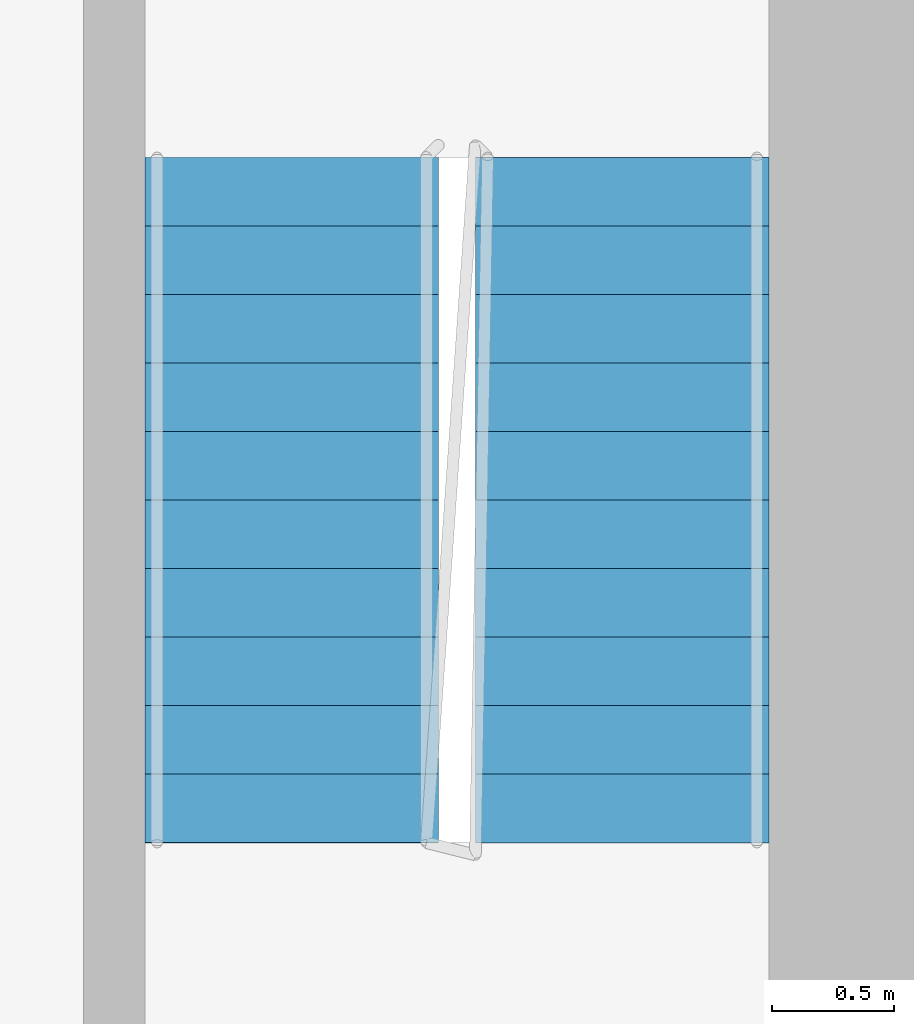
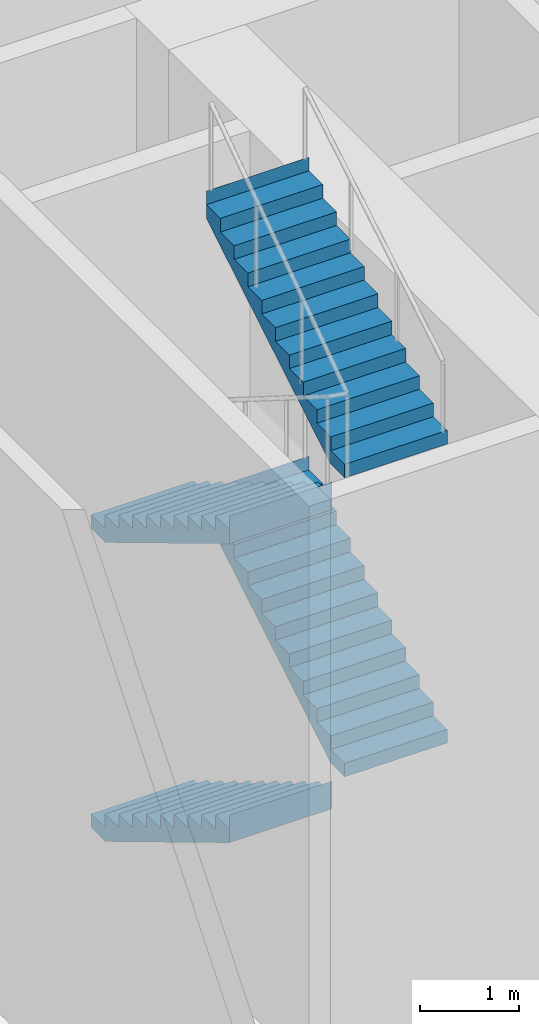
# One storey, part 19 of 25: 4 stair flights, 1 element without a shape of its own.
"""IFC4 building model written with IfcOpenShell, lengths in metres."""

from ifc_helpers import new_model, si_unit, direction, frame, origin, place, context, subcontext, project, spatial, faceted_brep, material, type_object, element, aggregate, save


model = new_model("IFC4")

# Units and contexts
model_context = context("Model", 3, precision=1e-05, world=origin(), true_north=direction((0.0, 1.0)))
body_context = subcontext(model_context, "Body", "Model", "MODEL_VIEW")
ifc_project = project(units=[si_unit("LENGTHUNIT", "METRE"), si_unit("AREAUNIT", "SQUARE_METRE"), si_unit("VOLUMEUNIT", "CUBIC_METRE"), si_unit("PLANEANGLEUNIT", "RADIAN"), si_unit("MASSUNIT", "GRAM", prefix="KILO")], contexts=[model_context])

# Site, building, storey
site_placement = place(None, origin())
site = spatial("IfcSite", under=ifc_project, at=site_placement, CompositionType="ELEMENT")
building_placement = place(site_placement, origin())
building = spatial("IfcBuilding", under=site, at=building_placement, Name="Kajstack Hotel Tower", CompositionType="ELEMENT")
storey_placement = place(building_placement, frame((0.0, 0.0, 155.0)))
storey = spatial("IfcBuildingStorey", under=building, at=storey_placement, Name="L36", CompositionType="ELEMENT", Elevation=155.0)

# Stair, stair flights
ifc_material = material(Name="Concrete C40/50", Category="concrete")
stair_type = type_object("IfcStairType", Name="Exit stair 1200", PredefinedType="HALF_TURN_STAIR", material=ifc_material)
stair_placement = place(storey_placement, origin())
stair = element("IfcStair", 1, at=stair_placement, inside=storey, type_object=stair_type, Name="L36 stair W1", PredefinedType="HALF_TURN_STAIR")
stair_flight_type = type_object("IfcStairFlightType", Name="Exit stair flight 1200", PredefinedType="STRAIGHT", material=ifc_material)
stair_flight_1_placement = place(storey_placement, frame((-33.449951171875, -5.25, 0.0), z_axis=(0.0, 0.0, 1.0), x_axis=(0.0, -1.0, 0.0)))
stair_flight_1 = element("IfcStairFlight", 2, at=stair_flight_1_placement, type_object=stair_flight_type, Name="W1 flight 1", NumberOfRisers=11, NumberOfTreads=10, PredefinedType="STRAIGHT", RiserHeight=0.168181818, TreadLength=0.28, context=body_context, shape_type="Brep", body=[
    faceted_brep([(0.291748046875, -0.60009765625, 0.0), (2.800537109375, -0.60009765625, 1.5068359375), (2.800537109375, -0.60009765625, 1.85009765625), (2.800048828125, -0.60009765625, 1.85009765625), (2.800048828125, -0.60009765625, 1.681884765625), (2.52001953125, -0.60009765625, 1.681884765625), (2.52001953125, -0.60009765625, 1.513671875), (2.239990234375, -0.60009765625, 1.513671875), (2.239990234375, -0.60009765625, 1.345458984375), (1.9599609375, -0.60009765625, 1.345458984375), (1.9599609375, -0.60009765625, 1.17724609375), (1.679931640625, -0.60009765625, 1.17724609375), (1.679931640625, -0.60009765625, 1.009033203125), (1.39990234375, -0.60009765625, 1.009033203125), (1.39990234375, -0.60009765625, 0.8408203125), (1.1201171875, -0.60009765625, 0.8408203125), (1.1201171875, -0.60009765625, 0.672607421875), (0.840087890625, -0.60009765625, 0.672607421875), (0.840087890625, -0.60009765625, 0.504638671875), (0.56005859375, -0.60009765625, 0.504638671875), (0.56005859375, -0.60009765625, 0.33642578125), (0.280029296875, -0.60009765625, 0.33642578125), (0.280029296875, -0.60009765625, 0.168212890625), (-0.00048828125, -0.60009765625, 0.168212890625), (-0.00048828125, -0.60009765625, 0.0), (-0.00048828125, 0.60009765625, 0.0), (-0.00048828125, 0.60009765625, 0.168212890625), (0.280029296875, 0.60009765625, 0.168212890625), (0.280029296875, 0.60009765625, 0.33642578125), (0.56005859375, 0.60009765625, 0.33642578125), (0.56005859375, 0.60009765625, 0.504638671875), (0.840087890625, 0.60009765625, 0.504638671875), (0.840087890625, 0.60009765625, 0.672607421875), (1.1201171875, 0.60009765625, 0.672607421875), (1.1201171875, 0.60009765625, 0.8408203125), (1.39990234375, 0.60009765625, 0.8408203125), (1.39990234375, 0.60009765625, 1.009033203125), (1.679931640625, 0.60009765625, 1.009033203125), (1.679931640625, 0.60009765625, 1.17724609375), (1.9599609375, 0.60009765625, 1.17724609375), (1.9599609375, 0.60009765625, 1.345458984375), (2.239990234375, 0.60009765625, 1.345458984375), (2.239990234375, 0.60009765625, 1.513671875), (2.52001953125, 0.60009765625, 1.513671875), (2.52001953125, 0.60009765625, 1.681884765625), (2.800048828125, 0.60009765625, 1.681884765625), (2.800048828125, 0.60009765625, 1.85009765625), (2.800537109375, 0.60009765625, 1.85009765625), (2.800537109375, 0.60009765625, 1.5068359375), (0.291748046875, 0.60009765625, 0.0), (-0.00048828125, -0.300048828125, 0.168212890625), (-0.00048828125, 0.0, 0.168212890625), (-0.00048828125, 0.300048828125, 0.168212890625), (-0.00048828125, 0.300048828125, 0.0), (-0.00048828125, 0.0, 0.0), (-0.00048828125, -0.300048828125, 0.0), (0.280029296875, -0.300048828125, 0.168212890625), (0.280029296875, 0.0, 0.168212890625), (0.280029296875, 0.300048828125, 0.168212890625), (0.280029296875, -0.300048828125, 0.33642578125), (0.280029296875, 0.0, 0.33642578125), (0.280029296875, 0.300048828125, 0.33642578125), (0.56005859375, -0.300048828125, 0.33642578125), (0.56005859375, 0.0, 0.33642578125), (0.56005859375, 0.300048828125, 0.33642578125), (0.56005859375, -0.300048828125, 0.504638671875), (0.56005859375, 0.0, 0.504638671875), (0.56005859375, 0.300048828125, 0.504638671875), (0.840087890625, -0.300048828125, 0.504638671875), (0.840087890625, 0.0, 0.504638671875), (0.840087890625, 0.300048828125, 0.504638671875), (0.840087890625, -0.300048828125, 0.672607421875), (0.840087890625, 0.0, 0.672607421875), (0.840087890625, 0.300048828125, 0.672607421875), (1.1201171875, -0.300048828125, 0.672607421875), (1.1201171875, 0.0, 0.672607421875), (1.1201171875, 0.300048828125, 0.672607421875), (1.1201171875, -0.300048828125, 0.8408203125), (1.1201171875, 0.0, 0.8408203125), (1.1201171875, 0.300048828125, 0.8408203125), (1.39990234375, -0.300048828125, 0.8408203125), (1.39990234375, 0.0, 0.8408203125), (1.39990234375, 0.300048828125, 0.8408203125), (1.39990234375, -0.300048828125, 1.009033203125), (1.39990234375, 0.0, 1.009033203125), (1.39990234375, 0.300048828125, 1.009033203125), (1.679931640625, -0.300048828125, 1.009033203125), (1.679931640625, 0.0, 1.009033203125), (1.679931640625, 0.300048828125, 1.009033203125), (1.679931640625, -0.300048828125, 1.17724609375), (1.679931640625, 0.0, 1.17724609375), (1.679931640625, 0.300048828125, 1.17724609375), (1.9599609375, -0.300048828125, 1.17724609375), (1.9599609375, 0.0, 1.17724609375), (1.9599609375, 0.300048828125, 1.17724609375), (1.9599609375, -0.300048828125, 1.345458984375), (1.9599609375, 0.0, 1.345458984375), (1.9599609375, 0.300048828125, 1.345458984375), (2.239990234375, -0.300048828125, 1.345458984375), (2.239990234375, 0.0, 1.345458984375), (2.239990234375, 0.300048828125, 1.345458984375), (2.239990234375, -0.300048828125, 1.513671875), (2.239990234375, 0.0, 1.513671875), (2.239990234375, 0.300048828125, 1.513671875), (2.52001953125, -0.300048828125, 1.513671875), (2.52001953125, 0.0, 1.513671875), (2.52001953125, 0.300048828125, 1.513671875), (2.52001953125, -0.300048828125, 1.681884765625), (2.52001953125, 0.0, 1.681884765625), (2.52001953125, 0.300048828125, 1.681884765625), (2.800048828125, -0.300048828125, 1.681884765625), (2.800048828125, 0.0, 1.681884765625), (2.800048828125, 0.300048828125, 1.681884765625), (2.800048828125, -0.300048828125, 1.85009765625), (2.800048828125, 0.0, 1.85009765625), (2.800048828125, 0.300048828125, 1.85009765625), (2.800537109375, -0.300048828125, 1.85009765625), (2.800537109375, 0.0, 1.85009765625), (2.800537109375, 0.300048828125, 1.85009765625), (2.800537109375, -0.300048828125, 1.5068359375), (2.800537109375, 0.0, 1.5068359375), (2.800537109375, 0.300048828125, 1.5068359375), (0.291748046875, -0.300048828125, 0.0), (0.291748046875, 0.0, 0.0), (0.291748046875, 0.300048828125, 0.0)], [[[0, 1, 2, 3, 4, 5, 6, 7, 8, 9, 10, 11, 12, 13, 14, 15, 16, 17, 18, 19, 20, 21, 22, 23, 24]], [[25, 26, 27, 28, 29, 30, 31, 32, 33, 34, 35, 36, 37, 38, 39, 40, 41, 42, 43, 44, 45, 46, 47, 48, 49]], [[23, 50, 51, 52, 26, 25, 53, 54, 55, 24]], [[22, 56, 57, 58, 27, 26, 52, 51, 50, 23]], [[21, 59, 60, 61, 28, 27, 58, 57, 56, 22]], [[20, 62, 63, 64, 29, 28, 61, 60, 59, 21]], [[19, 65, 66, 67, 30, 29, 64, 63, 62, 20]], [[18, 68, 69, 70, 31, 30, 67, 66, 65, 19]], [[17, 71, 72, 73, 32, 31, 70, 69, 68, 18]], [[16, 74, 75, 76, 33, 32, 73, 72, 71, 17]], [[15, 77, 78, 79, 34, 33, 76, 75, 74, 16]], [[14, 80, 81, 82, 35, 34, 79, 78, 77, 15]], [[13, 83, 84, 85, 36, 35, 82, 81, 80, 14]], [[12, 86, 87, 88, 37, 36, 85, 84, 83, 13]], [[11, 89, 90, 91, 38, 37, 88, 87, 86, 12]], [[10, 92, 93, 94, 39, 38, 91, 90, 89, 11]], [[9, 95, 96, 97, 40, 39, 94, 93, 92, 10]], [[8, 98, 99, 100, 41, 40, 97, 96, 95, 9]], [[7, 101, 102, 103, 42, 41, 100, 99, 98, 8]], [[6, 104, 105, 106, 43, 42, 103, 102, 101, 7]], [[5, 107, 108, 109, 44, 43, 106, 105, 104, 6]], [[4, 110, 111, 112, 45, 44, 109, 108, 107, 5]], [[3, 113, 114, 115, 46, 45, 112, 111, 110, 4]], [[2, 116, 117, 118, 47, 46, 115, 114, 113, 3]], [[1, 119, 120, 121, 48, 47, 118, 117, 116, 2]], [[0, 122, 123, 124, 49, 48, 121, 120, 119, 1]], [[24, 55, 54, 53, 25, 49, 124, 123, 122, 0]]]),
])
stair_flight_2_placement = place(storey_placement, frame((-32.10009765625, -8.050048828125, 1.85009765625), z_axis=(0.0, 0.0, 1.0), x_axis=(0.0, 1.0, 0.0)))
stair_flight_2 = element("IfcStairFlight", 3, at=stair_flight_2_placement, type_object=stair_flight_type, Name="W1 flight 2", NumberOfRisers=11, NumberOfTreads=10, PredefinedType="STRAIGHT", RiserHeight=0.168181818, TreadLength=0.28, context=body_context, shape_type="Brep", body=[
    faceted_brep([(0.291748046875, -0.60009765625, 0.0), (2.800537109375, -0.60009765625, 1.5068359375), (2.800537109375, -0.60009765625, 1.85009765625), (2.800048828125, -0.60009765625, 1.85009765625), (2.800048828125, -0.60009765625, 1.681884765625), (2.52001953125, -0.60009765625, 1.681884765625), (2.52001953125, -0.60009765625, 1.513671875), (2.239990234375, -0.60009765625, 1.513671875), (2.239990234375, -0.60009765625, 1.345458984375), (1.9599609375, -0.60009765625, 1.345458984375), (1.9599609375, -0.60009765625, 1.17724609375), (1.679931640625, -0.60009765625, 1.17724609375), (1.679931640625, -0.60009765625, 1.009033203125), (1.39990234375, -0.60009765625, 1.009033203125), (1.39990234375, -0.60009765625, 0.8408203125), (1.1201171875, -0.60009765625, 0.8408203125), (1.1201171875, -0.60009765625, 0.672607421875), (0.840087890625, -0.60009765625, 0.672607421875), (0.840087890625, -0.60009765625, 0.504638671875), (0.56005859375, -0.60009765625, 0.504638671875), (0.56005859375, -0.60009765625, 0.33642578125), (0.280029296875, -0.60009765625, 0.33642578125), (0.280029296875, -0.60009765625, 0.168212890625), (-0.00048828125, -0.60009765625, 0.168212890625), (-0.00048828125, -0.60009765625, 0.0), (-0.00048828125, 0.60009765625, 0.0), (-0.00048828125, 0.60009765625, 0.168212890625), (0.280029296875, 0.60009765625, 0.168212890625), (0.280029296875, 0.60009765625, 0.33642578125), (0.56005859375, 0.60009765625, 0.33642578125), (0.56005859375, 0.60009765625, 0.504638671875), (0.840087890625, 0.60009765625, 0.504638671875), (0.840087890625, 0.60009765625, 0.672607421875), (1.1201171875, 0.60009765625, 0.672607421875), (1.1201171875, 0.60009765625, 0.8408203125), (1.39990234375, 0.60009765625, 0.8408203125), (1.39990234375, 0.60009765625, 1.009033203125), (1.679931640625, 0.60009765625, 1.009033203125), (1.679931640625, 0.60009765625, 1.17724609375), (1.9599609375, 0.60009765625, 1.17724609375), (1.9599609375, 0.60009765625, 1.345458984375), (2.239990234375, 0.60009765625, 1.345458984375), (2.239990234375, 0.60009765625, 1.513671875), (2.52001953125, 0.60009765625, 1.513671875), (2.52001953125, 0.60009765625, 1.681884765625), (2.800048828125, 0.60009765625, 1.681884765625), (2.800048828125, 0.60009765625, 1.85009765625), (2.800537109375, 0.60009765625, 1.85009765625), (2.800537109375, 0.60009765625, 1.5068359375), (0.291748046875, 0.60009765625, 0.0), (-0.00048828125, -0.300048828125, 0.168212890625), (-0.00048828125, 0.0, 0.168212890625), (-0.00048828125, 0.300048828125, 0.168212890625), (-0.00048828125, 0.300048828125, 0.0), (-0.00048828125, 0.0, 0.0), (-0.00048828125, -0.300048828125, 0.0), (0.280029296875, -0.300048828125, 0.168212890625), (0.280029296875, 0.0, 0.168212890625), (0.280029296875, 0.300048828125, 0.168212890625), (0.280029296875, -0.300048828125, 0.33642578125), (0.280029296875, 0.0, 0.33642578125), (0.280029296875, 0.300048828125, 0.33642578125), (0.56005859375, -0.300048828125, 0.33642578125), (0.56005859375, 0.0, 0.33642578125), (0.56005859375, 0.300048828125, 0.33642578125), (0.56005859375, -0.300048828125, 0.504638671875), (0.56005859375, 0.0, 0.504638671875), (0.56005859375, 0.300048828125, 0.504638671875), (0.840087890625, -0.300048828125, 0.504638671875), (0.840087890625, 0.0, 0.504638671875), (0.840087890625, 0.300048828125, 0.504638671875), (0.840087890625, -0.300048828125, 0.672607421875), (0.840087890625, 0.0, 0.672607421875), (0.840087890625, 0.300048828125, 0.672607421875), (1.1201171875, -0.300048828125, 0.672607421875), (1.1201171875, 0.0, 0.672607421875), (1.1201171875, 0.300048828125, 0.672607421875), (1.1201171875, -0.300048828125, 0.8408203125), (1.1201171875, 0.0, 0.8408203125), (1.1201171875, 0.300048828125, 0.8408203125), (1.39990234375, -0.300048828125, 0.8408203125), (1.39990234375, 0.0, 0.8408203125), (1.39990234375, 0.300048828125, 0.8408203125), (1.39990234375, -0.300048828125, 1.009033203125), (1.39990234375, 0.0, 1.009033203125), (1.39990234375, 0.300048828125, 1.009033203125), (1.679931640625, -0.300048828125, 1.009033203125), (1.679931640625, 0.0, 1.009033203125), (1.679931640625, 0.300048828125, 1.009033203125), (1.679931640625, -0.300048828125, 1.17724609375), (1.679931640625, 0.0, 1.17724609375), (1.679931640625, 0.300048828125, 1.17724609375), (1.9599609375, -0.300048828125, 1.17724609375), (1.9599609375, 0.0, 1.17724609375), (1.9599609375, 0.300048828125, 1.17724609375), (1.9599609375, -0.300048828125, 1.345458984375), (1.9599609375, 0.0, 1.345458984375), (1.9599609375, 0.300048828125, 1.345458984375), (2.239990234375, -0.300048828125, 1.345458984375), (2.239990234375, 0.0, 1.345458984375), (2.239990234375, 0.300048828125, 1.345458984375), (2.239990234375, -0.300048828125, 1.513671875), (2.239990234375, 0.0, 1.513671875), (2.239990234375, 0.300048828125, 1.513671875), (2.52001953125, -0.300048828125, 1.513671875), (2.52001953125, 0.0, 1.513671875), (2.52001953125, 0.300048828125, 1.513671875), (2.52001953125, -0.300048828125, 1.681884765625), (2.52001953125, 0.0, 1.681884765625), (2.52001953125, 0.300048828125, 1.681884765625), (2.800048828125, -0.300048828125, 1.681884765625), (2.800048828125, 0.0, 1.681884765625), (2.800048828125, 0.300048828125, 1.681884765625), (2.800048828125, -0.300048828125, 1.85009765625), (2.800048828125, 0.0, 1.85009765625), (2.800048828125, 0.300048828125, 1.85009765625), (2.800537109375, -0.300048828125, 1.85009765625), (2.800537109375, 0.0, 1.85009765625), (2.800537109375, 0.300048828125, 1.85009765625), (2.800537109375, -0.300048828125, 1.5068359375), (2.800537109375, 0.0, 1.5068359375), (2.800537109375, 0.300048828125, 1.5068359375), (0.291748046875, -0.300048828125, 0.0), (0.291748046875, 0.0, 0.0), (0.291748046875, 0.300048828125, 0.0)], [[[0, 1, 2, 3, 4, 5, 6, 7, 8, 9, 10, 11, 12, 13, 14, 15, 16, 17, 18, 19, 20, 21, 22, 23, 24]], [[25, 26, 27, 28, 29, 30, 31, 32, 33, 34, 35, 36, 37, 38, 39, 40, 41, 42, 43, 44, 45, 46, 47, 48, 49]], [[23, 50, 51, 52, 26, 25, 53, 54, 55, 24]], [[22, 56, 57, 58, 27, 26, 52, 51, 50, 23]], [[21, 59, 60, 61, 28, 27, 58, 57, 56, 22]], [[20, 62, 63, 64, 29, 28, 61, 60, 59, 21]], [[19, 65, 66, 67, 30, 29, 64, 63, 62, 20]], [[18, 68, 69, 70, 31, 30, 67, 66, 65, 19]], [[17, 71, 72, 73, 32, 31, 70, 69, 68, 18]], [[16, 74, 75, 76, 33, 32, 73, 72, 71, 17]], [[15, 77, 78, 79, 34, 33, 76, 75, 74, 16]], [[14, 80, 81, 82, 35, 34, 79, 78, 77, 15]], [[13, 83, 84, 85, 36, 35, 82, 81, 80, 14]], [[12, 86, 87, 88, 37, 36, 85, 84, 83, 13]], [[11, 89, 90, 91, 38, 37, 88, 87, 86, 12]], [[10, 92, 93, 94, 39, 38, 91, 90, 89, 11]], [[9, 95, 96, 97, 40, 39, 94, 93, 92, 10]], [[8, 98, 99, 100, 41, 40, 97, 96, 95, 9]], [[7, 101, 102, 103, 42, 41, 100, 99, 98, 8]], [[6, 104, 105, 106, 43, 42, 103, 102, 101, 7]], [[5, 107, 108, 109, 44, 43, 106, 105, 104, 6]], [[4, 110, 111, 112, 45, 44, 109, 108, 107, 5]], [[3, 113, 114, 115, 46, 45, 112, 111, 110, 4]], [[2, 116, 117, 118, 47, 46, 115, 114, 113, 3]], [[1, 119, 120, 121, 48, 47, 118, 117, 116, 2]], [[0, 122, 123, 124, 49, 48, 121, 120, 119, 1]], [[24, 55, 54, 53, 25, 49, 124, 123, 122, 0]]]),
])
stair_flight_3_placement = place(storey_placement, frame((-33.449951171875, -5.25, 3.699951171875), z_axis=(0.0, 0.0, 1.0), x_axis=(0.0, -1.0, 0.0)))
stair_flight_3 = element("IfcStairFlight", 4, at=stair_flight_3_placement, type_object=stair_flight_type, Name="W1 flight 3", NumberOfRisers=11, NumberOfTreads=10, PredefinedType="STRAIGHT", RiserHeight=0.168181818, TreadLength=0.28, context=body_context, shape_type="Brep", body=[
    faceted_brep([(0.291748046875, -0.60009765625, 0.0), (2.800537109375, -0.60009765625, 1.5068359375), (2.800537109375, -0.60009765625, 1.85009765625), (2.800048828125, -0.60009765625, 1.85009765625), (2.800048828125, -0.60009765625, 1.681884765625), (2.52001953125, -0.60009765625, 1.681884765625), (2.52001953125, -0.60009765625, 1.513671875), (2.239990234375, -0.60009765625, 1.513671875), (2.239990234375, -0.60009765625, 1.345458984375), (1.9599609375, -0.60009765625, 1.345458984375), (1.9599609375, -0.60009765625, 1.17724609375), (1.679931640625, -0.60009765625, 1.17724609375), (1.679931640625, -0.60009765625, 1.009033203125), (1.39990234375, -0.60009765625, 1.009033203125), (1.39990234375, -0.60009765625, 0.8408203125), (1.1201171875, -0.60009765625, 0.8408203125), (1.1201171875, -0.60009765625, 0.672607421875), (0.840087890625, -0.60009765625, 0.672607421875), (0.840087890625, -0.60009765625, 0.504638671875), (0.56005859375, -0.60009765625, 0.504638671875), (0.56005859375, -0.60009765625, 0.33642578125), (0.280029296875, -0.60009765625, 0.33642578125), (0.280029296875, -0.60009765625, 0.168212890625), (-0.00048828125, -0.60009765625, 0.168212890625), (-0.00048828125, -0.60009765625, 0.0), (-0.00048828125, 0.60009765625, 0.0), (-0.00048828125, 0.60009765625, 0.168212890625), (0.280029296875, 0.60009765625, 0.168212890625), (0.280029296875, 0.60009765625, 0.33642578125), (0.56005859375, 0.60009765625, 0.33642578125), (0.56005859375, 0.60009765625, 0.504638671875), (0.840087890625, 0.60009765625, 0.504638671875), (0.840087890625, 0.60009765625, 0.672607421875), (1.1201171875, 0.60009765625, 0.672607421875), (1.1201171875, 0.60009765625, 0.8408203125), (1.39990234375, 0.60009765625, 0.8408203125), (1.39990234375, 0.60009765625, 1.009033203125), (1.679931640625, 0.60009765625, 1.009033203125), (1.679931640625, 0.60009765625, 1.17724609375), (1.9599609375, 0.60009765625, 1.17724609375), (1.9599609375, 0.60009765625, 1.345458984375), (2.239990234375, 0.60009765625, 1.345458984375), (2.239990234375, 0.60009765625, 1.513671875), (2.52001953125, 0.60009765625, 1.513671875), (2.52001953125, 0.60009765625, 1.681884765625), (2.800048828125, 0.60009765625, 1.681884765625), (2.800048828125, 0.60009765625, 1.85009765625), (2.800537109375, 0.60009765625, 1.85009765625), (2.800537109375, 0.60009765625, 1.5068359375), (0.291748046875, 0.60009765625, 0.0), (-0.00048828125, -0.300048828125, 0.168212890625), (-0.00048828125, 0.0, 0.168212890625), (-0.00048828125, 0.300048828125, 0.168212890625), (-0.00048828125, 0.300048828125, 0.0), (-0.00048828125, 0.0, 0.0), (-0.00048828125, -0.300048828125, 0.0), (0.280029296875, -0.300048828125, 0.168212890625), (0.280029296875, 0.0, 0.168212890625), (0.280029296875, 0.300048828125, 0.168212890625), (0.280029296875, -0.300048828125, 0.33642578125), (0.280029296875, 0.0, 0.33642578125), (0.280029296875, 0.300048828125, 0.33642578125), (0.56005859375, -0.300048828125, 0.33642578125), (0.56005859375, 0.0, 0.33642578125), (0.56005859375, 0.300048828125, 0.33642578125), (0.56005859375, -0.300048828125, 0.504638671875), (0.56005859375, 0.0, 0.504638671875), (0.56005859375, 0.300048828125, 0.504638671875), (0.840087890625, -0.300048828125, 0.504638671875), (0.840087890625, 0.0, 0.504638671875), (0.840087890625, 0.300048828125, 0.504638671875), (0.840087890625, -0.300048828125, 0.672607421875), (0.840087890625, 0.0, 0.672607421875), (0.840087890625, 0.300048828125, 0.672607421875), (1.1201171875, -0.300048828125, 0.672607421875), (1.1201171875, 0.0, 0.672607421875), (1.1201171875, 0.300048828125, 0.672607421875), (1.1201171875, -0.300048828125, 0.8408203125), (1.1201171875, 0.0, 0.8408203125), (1.1201171875, 0.300048828125, 0.8408203125), (1.39990234375, -0.300048828125, 0.8408203125), (1.39990234375, 0.0, 0.8408203125), (1.39990234375, 0.300048828125, 0.8408203125), (1.39990234375, -0.300048828125, 1.009033203125), (1.39990234375, 0.0, 1.009033203125), (1.39990234375, 0.300048828125, 1.009033203125), (1.679931640625, -0.300048828125, 1.009033203125), (1.679931640625, 0.0, 1.009033203125), (1.679931640625, 0.300048828125, 1.009033203125), (1.679931640625, -0.300048828125, 1.17724609375), (1.679931640625, 0.0, 1.17724609375), (1.679931640625, 0.300048828125, 1.17724609375), (1.9599609375, -0.300048828125, 1.17724609375), (1.9599609375, 0.0, 1.17724609375), (1.9599609375, 0.300048828125, 1.17724609375), (1.9599609375, -0.300048828125, 1.345458984375), (1.9599609375, 0.0, 1.345458984375), (1.9599609375, 0.300048828125, 1.345458984375), (2.239990234375, -0.300048828125, 1.345458984375), (2.239990234375, 0.0, 1.345458984375), (2.239990234375, 0.300048828125, 1.345458984375), (2.239990234375, -0.300048828125, 1.513671875), (2.239990234375, 0.0, 1.513671875), (2.239990234375, 0.300048828125, 1.513671875), (2.52001953125, -0.300048828125, 1.513671875), (2.52001953125, 0.0, 1.513671875), (2.52001953125, 0.300048828125, 1.513671875), (2.52001953125, -0.300048828125, 1.681884765625), (2.52001953125, 0.0, 1.681884765625), (2.52001953125, 0.300048828125, 1.681884765625), (2.800048828125, -0.300048828125, 1.681884765625), (2.800048828125, 0.0, 1.681884765625), (2.800048828125, 0.300048828125, 1.681884765625), (2.800048828125, -0.300048828125, 1.85009765625), (2.800048828125, 0.0, 1.85009765625), (2.800048828125, 0.300048828125, 1.85009765625), (2.800537109375, -0.300048828125, 1.85009765625), (2.800537109375, 0.0, 1.85009765625), (2.800537109375, 0.300048828125, 1.85009765625), (2.800537109375, -0.300048828125, 1.5068359375), (2.800537109375, 0.0, 1.5068359375), (2.800537109375, 0.300048828125, 1.5068359375), (0.291748046875, -0.300048828125, 0.0), (0.291748046875, 0.0, 0.0), (0.291748046875, 0.300048828125, 0.0)], [[[0, 1, 2, 3, 4, 5, 6, 7, 8, 9, 10, 11, 12, 13, 14, 15, 16, 17, 18, 19, 20, 21, 22, 23, 24]], [[25, 26, 27, 28, 29, 30, 31, 32, 33, 34, 35, 36, 37, 38, 39, 40, 41, 42, 43, 44, 45, 46, 47, 48, 49]], [[23, 50, 51, 52, 26, 25, 53, 54, 55, 24]], [[22, 56, 57, 58, 27, 26, 52, 51, 50, 23]], [[21, 59, 60, 61, 28, 27, 58, 57, 56, 22]], [[20, 62, 63, 64, 29, 28, 61, 60, 59, 21]], [[19, 65, 66, 67, 30, 29, 64, 63, 62, 20]], [[18, 68, 69, 70, 31, 30, 67, 66, 65, 19]], [[17, 71, 72, 73, 32, 31, 70, 69, 68, 18]], [[16, 74, 75, 76, 33, 32, 73, 72, 71, 17]], [[15, 77, 78, 79, 34, 33, 76, 75, 74, 16]], [[14, 80, 81, 82, 35, 34, 79, 78, 77, 15]], [[13, 83, 84, 85, 36, 35, 82, 81, 80, 14]], [[12, 86, 87, 88, 37, 36, 85, 84, 83, 13]], [[11, 89, 90, 91, 38, 37, 88, 87, 86, 12]], [[10, 92, 93, 94, 39, 38, 91, 90, 89, 11]], [[9, 95, 96, 97, 40, 39, 94, 93, 92, 10]], [[8, 98, 99, 100, 41, 40, 97, 96, 95, 9]], [[7, 101, 102, 103, 42, 41, 100, 99, 98, 8]], [[6, 104, 105, 106, 43, 42, 103, 102, 101, 7]], [[5, 107, 108, 109, 44, 43, 106, 105, 104, 6]], [[4, 110, 111, 112, 45, 44, 109, 108, 107, 5]], [[3, 113, 114, 115, 46, 45, 112, 111, 110, 4]], [[2, 116, 117, 118, 47, 46, 115, 114, 113, 3]], [[1, 119, 120, 121, 48, 47, 118, 117, 116, 2]], [[0, 122, 123, 124, 49, 48, 121, 120, 119, 1]], [[24, 55, 54, 53, 25, 49, 124, 123, 122, 0]]]),
])
stair_flight_4_placement = place(storey_placement, frame((-32.10009765625, -8.050048828125, 5.550048828125), z_axis=(0.0, 0.0, 1.0), x_axis=(0.0, 1.0, 0.0)))
stair_flight_4 = element("IfcStairFlight", 5, at=stair_flight_4_placement, type_object=stair_flight_type, Name="W1 flight 4", NumberOfRisers=11, NumberOfTreads=10, PredefinedType="STRAIGHT", RiserHeight=0.168181818, TreadLength=0.28, context=body_context, shape_type="Brep", body=[
    faceted_brep([(0.291748046875, -0.60009765625, 0.0), (2.800537109375, -0.60009765625, 1.5068359375), (2.800537109375, -0.60009765625, 1.85009765625), (2.800048828125, -0.60009765625, 1.85009765625), (2.800048828125, -0.60009765625, 1.681884765625), (2.52001953125, -0.60009765625, 1.681884765625), (2.52001953125, -0.60009765625, 1.513671875), (2.239990234375, -0.60009765625, 1.513671875), (2.239990234375, -0.60009765625, 1.345458984375), (1.9599609375, -0.60009765625, 1.345458984375), (1.9599609375, -0.60009765625, 1.17724609375), (1.679931640625, -0.60009765625, 1.17724609375), (1.679931640625, -0.60009765625, 1.009033203125), (1.39990234375, -0.60009765625, 1.009033203125), (1.39990234375, -0.60009765625, 0.8408203125), (1.1201171875, -0.60009765625, 0.8408203125), (1.1201171875, -0.60009765625, 0.672607421875), (0.840087890625, -0.60009765625, 0.672607421875), (0.840087890625, -0.60009765625, 0.504638671875), (0.56005859375, -0.60009765625, 0.504638671875), (0.56005859375, -0.60009765625, 0.33642578125), (0.280029296875, -0.60009765625, 0.33642578125), (0.280029296875, -0.60009765625, 0.168212890625), (-0.00048828125, -0.60009765625, 0.168212890625), (-0.00048828125, -0.60009765625, 0.0), (-0.00048828125, 0.60009765625, 0.0), (-0.00048828125, 0.60009765625, 0.168212890625), (0.280029296875, 0.60009765625, 0.168212890625), (0.280029296875, 0.60009765625, 0.33642578125), (0.56005859375, 0.60009765625, 0.33642578125), (0.56005859375, 0.60009765625, 0.504638671875), (0.840087890625, 0.60009765625, 0.504638671875), (0.840087890625, 0.60009765625, 0.672607421875), (1.1201171875, 0.60009765625, 0.672607421875), (1.1201171875, 0.60009765625, 0.8408203125), (1.39990234375, 0.60009765625, 0.8408203125), (1.39990234375, 0.60009765625, 1.009033203125), (1.679931640625, 0.60009765625, 1.009033203125), (1.679931640625, 0.60009765625, 1.17724609375), (1.9599609375, 0.60009765625, 1.17724609375), (1.9599609375, 0.60009765625, 1.345458984375), (2.239990234375, 0.60009765625, 1.345458984375), (2.239990234375, 0.60009765625, 1.513671875), (2.52001953125, 0.60009765625, 1.513671875), (2.52001953125, 0.60009765625, 1.681884765625), (2.800048828125, 0.60009765625, 1.681884765625), (2.800048828125, 0.60009765625, 1.85009765625), (2.800537109375, 0.60009765625, 1.85009765625), (2.800537109375, 0.60009765625, 1.5068359375), (0.291748046875, 0.60009765625, 0.0), (-0.00048828125, -0.300048828125, 0.168212890625), (-0.00048828125, 0.0, 0.168212890625), (-0.00048828125, 0.300048828125, 0.168212890625), (-0.00048828125, 0.300048828125, 0.0), (-0.00048828125, 0.0, 0.0), (-0.00048828125, -0.300048828125, 0.0), (0.280029296875, -0.300048828125, 0.168212890625), (0.280029296875, 0.0, 0.168212890625), (0.280029296875, 0.300048828125, 0.168212890625), (0.280029296875, -0.300048828125, 0.33642578125), (0.280029296875, 0.0, 0.33642578125), (0.280029296875, 0.300048828125, 0.33642578125), (0.56005859375, -0.300048828125, 0.33642578125), (0.56005859375, 0.0, 0.33642578125), (0.56005859375, 0.300048828125, 0.33642578125), (0.56005859375, -0.300048828125, 0.504638671875), (0.56005859375, 0.0, 0.504638671875), (0.56005859375, 0.300048828125, 0.504638671875), (0.840087890625, -0.300048828125, 0.504638671875), (0.840087890625, 0.0, 0.504638671875), (0.840087890625, 0.300048828125, 0.504638671875), (0.840087890625, -0.300048828125, 0.672607421875), (0.840087890625, 0.0, 0.672607421875), (0.840087890625, 0.300048828125, 0.672607421875), (1.1201171875, -0.300048828125, 0.672607421875), (1.1201171875, 0.0, 0.672607421875), (1.1201171875, 0.300048828125, 0.672607421875), (1.1201171875, -0.300048828125, 0.8408203125), (1.1201171875, 0.0, 0.8408203125), (1.1201171875, 0.300048828125, 0.8408203125), (1.39990234375, -0.300048828125, 0.8408203125), (1.39990234375, 0.0, 0.8408203125), (1.39990234375, 0.300048828125, 0.8408203125), (1.39990234375, -0.300048828125, 1.009033203125), (1.39990234375, 0.0, 1.009033203125), (1.39990234375, 0.300048828125, 1.009033203125), (1.679931640625, -0.300048828125, 1.009033203125), (1.679931640625, 0.0, 1.009033203125), (1.679931640625, 0.300048828125, 1.009033203125), (1.679931640625, -0.300048828125, 1.17724609375), (1.679931640625, 0.0, 1.17724609375), (1.679931640625, 0.300048828125, 1.17724609375), (1.9599609375, -0.300048828125, 1.17724609375), (1.9599609375, 0.0, 1.17724609375), (1.9599609375, 0.300048828125, 1.17724609375), (1.9599609375, -0.300048828125, 1.345458984375), (1.9599609375, 0.0, 1.345458984375), (1.9599609375, 0.300048828125, 1.345458984375), (2.239990234375, -0.300048828125, 1.345458984375), (2.239990234375, 0.0, 1.345458984375), (2.239990234375, 0.300048828125, 1.345458984375), (2.239990234375, -0.300048828125, 1.513671875), (2.239990234375, 0.0, 1.513671875), (2.239990234375, 0.300048828125, 1.513671875), (2.52001953125, -0.300048828125, 1.513671875), (2.52001953125, 0.0, 1.513671875), (2.52001953125, 0.300048828125, 1.513671875), (2.52001953125, -0.300048828125, 1.681884765625), (2.52001953125, 0.0, 1.681884765625), (2.52001953125, 0.300048828125, 1.681884765625), (2.800048828125, -0.300048828125, 1.681884765625), (2.800048828125, 0.0, 1.681884765625), (2.800048828125, 0.300048828125, 1.681884765625), (2.800048828125, -0.300048828125, 1.85009765625), (2.800048828125, 0.0, 1.85009765625), (2.800048828125, 0.300048828125, 1.85009765625), (2.800537109375, -0.300048828125, 1.85009765625), (2.800537109375, 0.0, 1.85009765625), (2.800537109375, 0.300048828125, 1.85009765625), (2.800537109375, -0.300048828125, 1.5068359375), (2.800537109375, 0.0, 1.5068359375), (2.800537109375, 0.300048828125, 1.5068359375), (0.291748046875, -0.300048828125, 0.0), (0.291748046875, 0.0, 0.0), (0.291748046875, 0.300048828125, 0.0)], [[[0, 1, 2, 3, 4, 5, 6, 7, 8, 9, 10, 11, 12, 13, 14, 15, 16, 17, 18, 19, 20, 21, 22, 23, 24]], [[25, 26, 27, 28, 29, 30, 31, 32, 33, 34, 35, 36, 37, 38, 39, 40, 41, 42, 43, 44, 45, 46, 47, 48, 49]], [[23, 50, 51, 52, 26, 25, 53, 54, 55, 24]], [[22, 56, 57, 58, 27, 26, 52, 51, 50, 23]], [[21, 59, 60, 61, 28, 27, 58, 57, 56, 22]], [[20, 62, 63, 64, 29, 28, 61, 60, 59, 21]], [[19, 65, 66, 67, 30, 29, 64, 63, 62, 20]], [[18, 68, 69, 70, 31, 30, 67, 66, 65, 19]], [[17, 71, 72, 73, 32, 31, 70, 69, 68, 18]], [[16, 74, 75, 76, 33, 32, 73, 72, 71, 17]], [[15, 77, 78, 79, 34, 33, 76, 75, 74, 16]], [[14, 80, 81, 82, 35, 34, 79, 78, 77, 15]], [[13, 83, 84, 85, 36, 35, 82, 81, 80, 14]], [[12, 86, 87, 88, 37, 36, 85, 84, 83, 13]], [[11, 89, 90, 91, 38, 37, 88, 87, 86, 12]], [[10, 92, 93, 94, 39, 38, 91, 90, 89, 11]], [[9, 95, 96, 97, 40, 39, 94, 93, 92, 10]], [[8, 98, 99, 100, 41, 40, 97, 96, 95, 9]], [[7, 101, 102, 103, 42, 41, 100, 99, 98, 8]], [[6, 104, 105, 106, 43, 42, 103, 102, 101, 7]], [[5, 107, 108, 109, 44, 43, 106, 105, 104, 6]], [[4, 110, 111, 112, 45, 44, 109, 108, 107, 5]], [[3, 113, 114, 115, 46, 45, 112, 111, 110, 4]], [[2, 116, 117, 118, 47, 46, 115, 114, 113, 3]], [[1, 119, 120, 121, 48, 47, 118, 117, 116, 2]], [[0, 122, 123, 124, 49, 48, 121, 120, 119, 1]], [[24, 55, 54, 53, 25, 49, 124, 123, 122, 0]]]),
])
aggregate(stair, [stair_flight_1, stair_flight_2, stair_flight_3, stair_flight_4])

save(model, "model.ifc")
